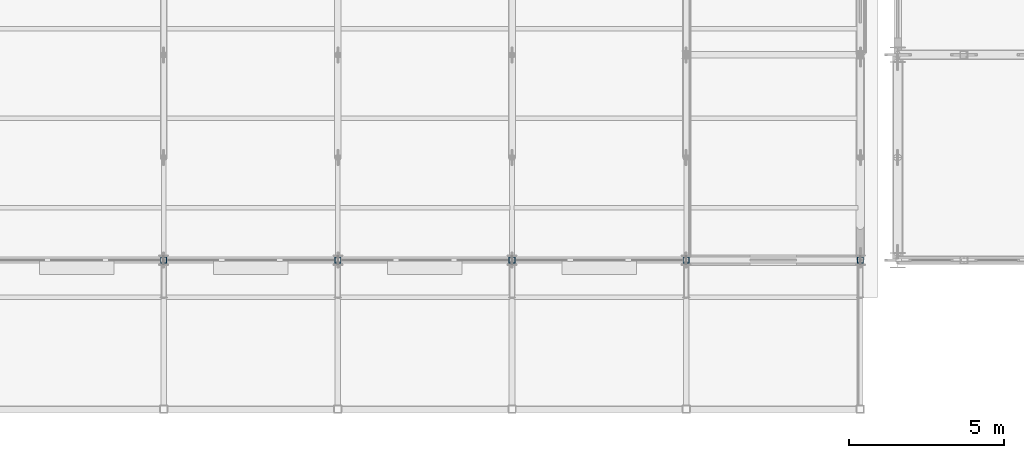
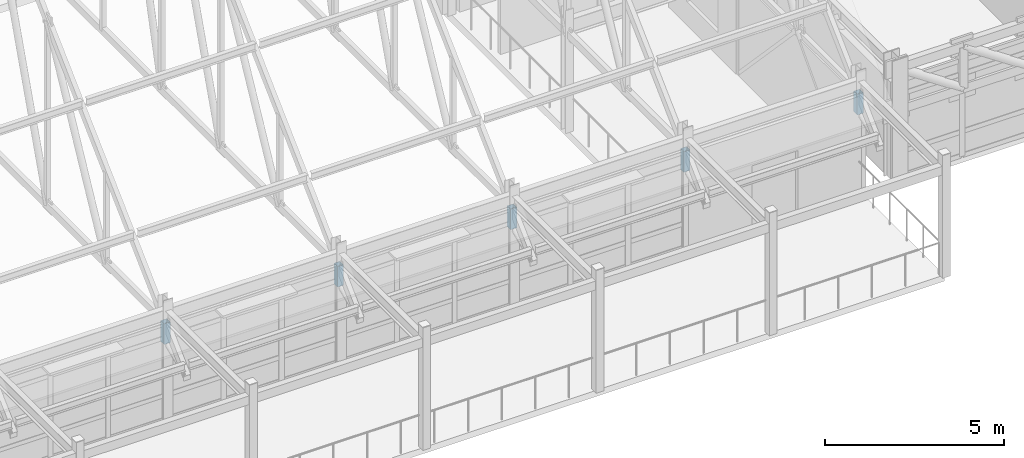
# One storey, part 89 of 144: 5 members.
"""IFC4 building model written with IfcOpenShell, lengths in metres."""

from ifc_helpers import new_model, si_unit, direction, frame, origin, origin_2d, place, context, subcontext, project, spatial, hollow_rectangle, extrude, material, material_profile, profile_set, type_object, element, save


model = new_model("IFC4")

# Units and contexts
model_context = context("Model", 3, precision=1e-05, world=origin(), true_north=direction((0.0, 1.0)))
body_context = subcontext(model_context, "Body", "Model", "MODEL_VIEW")
ifc_project = project(units=[si_unit("LENGTHUNIT", "METRE"), si_unit("AREAUNIT", "SQUARE_METRE"), si_unit("VOLUMEUNIT", "CUBIC_METRE"), si_unit("PLANEANGLEUNIT", "RADIAN"), si_unit("MASSUNIT", "GRAM", prefix="KILO")], contexts=[model_context])

# Site, building, storey
site_placement = place(None, origin())
site = spatial("IfcSite", under=ifc_project, at=site_placement, CompositionType="ELEMENT")
building_placement = place(site_placement, origin())
building = spatial("IfcBuilding", under=site, at=building_placement, Name="Trelmorton Wharf Fire Station", CompositionType="ELEMENT")
storey_placement = place(building_placement, frame((0.0, 0.0, 5.39990234375)))
storey = spatial("IfcBuildingStorey", under=building, at=storey_placement, Name="L01", CompositionType="ELEMENT", Elevation=5.39990234375)

# Members
ifc_material = material(Name="Steel C350L0 (350 MPa)", Category="steel")
ifc_material_profile = material_profile(ifc_material, hollow_rectangle(XDim=0.199951171875, YDim=0.199951171875, WallThickness=0.010009765625, at=origin_2d()), Name="200x200x10.0SHS")
ifc_profile_set = profile_set([ifc_material_profile], Name="Steel C350L0 (350 MPa)")
member_type = type_object("IfcMemberType", Name="TR_POST_200SHS", PredefinedType="POST", material=ifc_profile_set)
for number, where, z_axis, x_axis, name in (
    (1, (34.39990234375, 7.800048828125, 2.650146484375), (0.0, 0.0, 1.0), (1.0, 0.0, 0.0), "V1-TR07-SHS"),
    (2, (40.0, 7.800048828125, 2.650146484375), (0.0, 0.0, 1.0), (1.0, 0.0, 0.0), "V1-TR08-SHS"),
    (3, (45.60009765625, 7.800048828125, 2.650146484375), (0.0, 0.0, 1.0), (1.0, 0.0, 0.0), "V1-TR09-SHS"),
    (4, (51.199951171875, 7.800048828125, 2.650146484375), (0.0, 0.0, 1.0), (1.0, 0.0, 0.0), "V1-TR10-SHS"),
    (5, (56.800048828125, 7.800048828125, 2.650146484375), (0.0, 0.0, 1.0), (1.0, 0.0, 0.0), "V1-TR11-SHS"),
):
    element("IfcMember", number, at=place(storey_placement, frame(where, z_axis=z_axis, x_axis=x_axis)), inside=storey, type_object=member_type, Name=name, PredefinedType="POST", context=body_context, shape_type="SweptSolid", body=[
        extrude(hollow_rectangle(XDim=0.199951171875, YDim=0.199951171875, WallThickness=0.010009765625, at=origin_2d()), origin(), (0.0, 0.0, 1.0), 0.70166015625),
    ])

save(model, "model.ifc")
